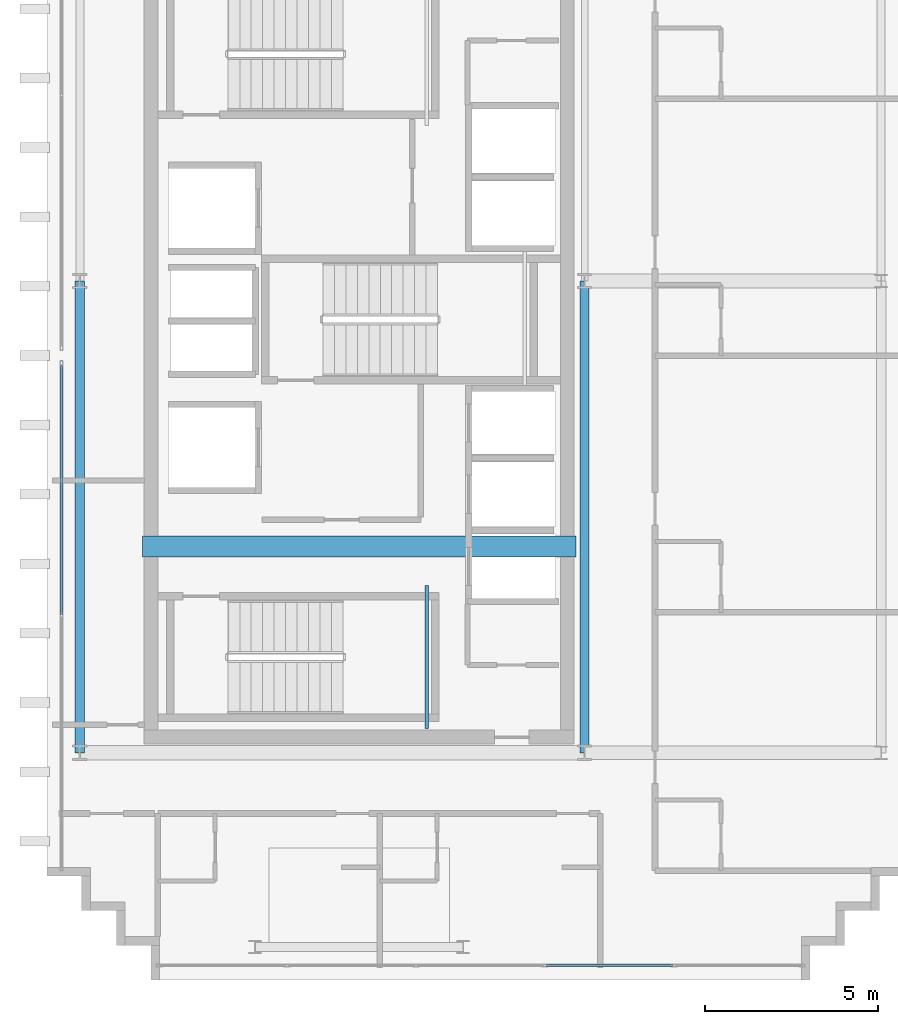
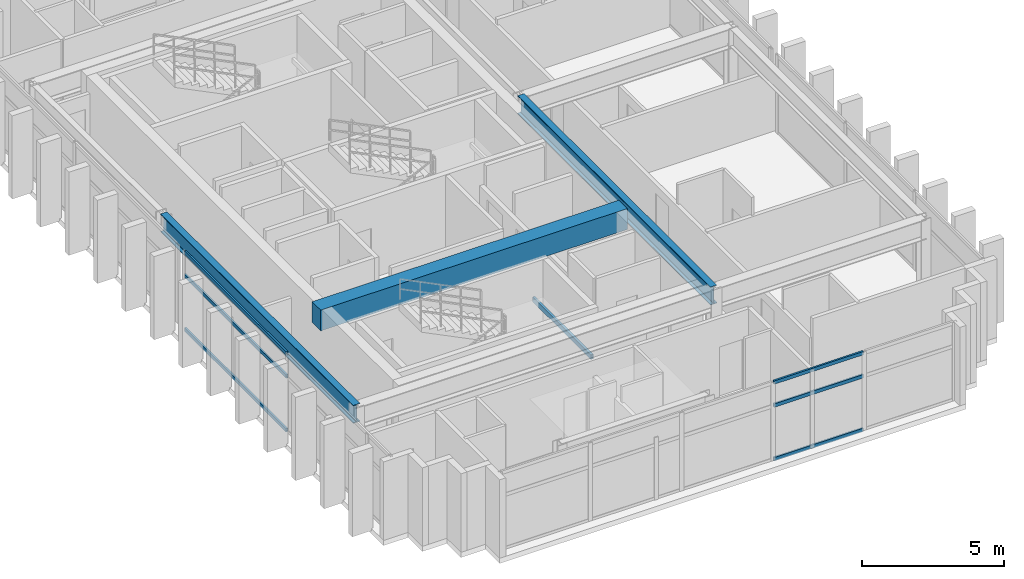
# One storey, part 3 of 15: 6 members, 4 beams, 2 elements without a shape of their own.
"""IFC4 building model written with IfcOpenShell, lengths in metres."""

from ifc_helpers import new_model, si_unit, direction, frame, origin, origin_2d, place, context, subcontext, project, spatial, rectangle, hollow_rectangle, i_section, extrude, source, transform, mapped, material, layer, layer_set, material_profile, profile_set, type_object, element, aggregate, save


model = new_model("IFC4")

# Units and contexts
model_context = context("Model", 3, precision=1e-05, world=origin(), true_north=direction((0.0, 1.0)))
body_context = subcontext(model_context, "Body", "Model", "MODEL_VIEW")
ifc_project = project(units=[si_unit("LENGTHUNIT", "METRE"), si_unit("AREAUNIT", "SQUARE_METRE"), si_unit("VOLUMEUNIT", "CUBIC_METRE"), si_unit("PLANEANGLEUNIT", "RADIAN"), si_unit("MASSUNIT", "GRAM", prefix="KILO")], contexts=[model_context])

# Site, building, storey
site_placement = place(None, origin())
site = spatial("IfcSite", under=ifc_project, at=site_placement, CompositionType="ELEMENT")
building_placement = place(site_placement, origin())
building = spatial("IfcBuilding", under=site, at=building_placement, Name="Ocotamira Hotel", CompositionType="ELEMENT")
storey_placement = place(building_placement, frame((0.0, 0.0, 290.39990234375)))
storey = spatial("IfcBuildingStorey", under=building, at=storey_placement, Name="L74", CompositionType="ELEMENT", Elevation=290.39990234375)

# Beams
ifc_material_1 = material(Name="Concrete C50/60", Category="concrete")
ifc_material_profile_1 = material_profile(ifc_material_1, rectangle(XDim=0.60009765625, YDim=0.89990234375, at=origin_2d()), Name="RC600X900")
ifc_profile_set_1 = profile_set([ifc_material_profile_1], Name="Concrete C50/60")
beam_type_1 = type_object("IfcBeamType", Name="BM-LINK-RC600", PredefinedType="LINTEL", material=ifc_profile_set_1)
shared_shape_1 = source(origin(), body_context, "Body", "SweptSolid", [
    extrude(rectangle(XDim=0.60009765625, YDim=0.89990234375, at=origin_2d()), origin(), (0.0, 0.0, 1.0), 12.5),
])
beam_1_placement = place(storey_placement, frame((10.75, 20.5, 2.93017578125), z_axis=(1.0, 0.0, 0.0), x_axis=(0.0, 1.0, 0.0)))
element("IfcBeam", 1, at=beam_1_placement, inside=storey, type_object=beam_type_1, Name="L74 West Core Coupling Beam", PredefinedType="LINTEL", context=body_context, shape_type="MappedRepresentation", body=[
    mapped(shared_shape_1, transform((0.0, 0.0, 0.0), scale=1.0)),
])
ifc_material_2 = material(Name="Steel ASTM A500 Grade C", Category="steel")
ifc_material_profile_2 = material_profile(ifc_material_2, hollow_rectangle(XDim=0.10009765625, YDim=0.199951171875, WallThickness=0.008056640625, at=origin_2d()), Name="HSS200X100X8")
ifc_profile_set_2 = profile_set([ifc_material_profile_2], Name="Steel ASTM A500 Grade C")
beam_type_2 = type_object("IfcBeamType", Name="BM-STLDG-HSS200", PredefinedType="BEAM", material=ifc_profile_set_2)
shared_shape_2 = source(origin(), body_context, "Body", "SweptSolid", [
    extrude(hollow_rectangle(XDim=0.10009765625, YDim=0.199951171875, WallThickness=0.008056640625, at=origin_2d()), origin(), (0.0, 0.0, 1.0), 4.1201171875),
])
beam_2_placement = place(storey_placement, frame((18.949951171875, 15.25, 1.5), z_axis=(0.0, 1.0, 0.0), x_axis=(-1.0, 0.0, 0.0)))
element("IfcBeam", 2, at=beam_2_placement, inside=storey, type_object=beam_type_2, Name="L74 Stair ST-1 Landing Bearer 1", PredefinedType="BEAM", context=body_context, shape_type="MappedRepresentation", body=[
    mapped(shared_shape_2, transform((0.0, 0.0, 0.0), scale=1.0)),
])
ifc_material_3 = material(Name="Steel ASTM A992 Grade 50", Category="steel")
ifc_material_profile_3 = material_profile(ifc_material_3, i_section(OverallWidth=0.26611328125, OverallDepth=0.779052734375, WebThickness=0.0166015625, FlangeThickness=0.030029296875, FilletRadius=0.01806640625, at=origin_2d()), Name="W30X148")
ifc_profile_set_3 = profile_set([ifc_material_profile_3], Name="Steel ASTM A992 Grade 50")
beam_type_3 = type_object("IfcBeamType", Name="BM-GIRD-W30X148", PredefinedType="BEAM", material=ifc_profile_set_3)
shared_shape_3 = source(origin(), body_context, "Body", "SweptSolid", [
    extrude(i_section(OverallWidth=0.26611328125, OverallDepth=0.779052734375, WebThickness=0.0166015625, FlangeThickness=0.030029296875, FilletRadius=0.01806640625, at=origin_2d()), origin(), (0.0, 0.0, 1.0), 13.599853515625),
])
for number, where, z_axis, x_axis, name in (
    (3, (8.949951171875, 14.550048828125, 2.990478515625), (0.0, 1.0, 0.0), (-1.0, 0.0, 0.0), "L74 Beam X8.95 Y14.55-28.15"),
    (4, (23.5, 14.550048828125, 2.990478515625), (0.0, 1.0, 0.0), (-1.0, 0.0, 0.0), "L74 Beam X23.5 Y14.55-28.15"),
):
    element("IfcBeam", number, at=place(storey_placement, frame(where, z_axis=z_axis, x_axis=x_axis)), inside=storey, type_object=beam_type_3, Name=name, PredefinedType="BEAM", context=body_context, shape_type="MappedRepresentation", body=[
        mapped(shared_shape_3, transform((0.0, 0.0, 0.0), scale=1.0)),
    ])

# Curtain wall, members
ifc_material_4 = material(Name="Anodised pale-metal aluminium and solar glass", Category="aluminium")
ifc_layer = layer(ifc_material_4, 0.2099609375)
ifc_layer_set = layer_set([ifc_layer], Name="Anodised pale-metal aluminium and solar glass")
curtain_wall_type = type_object("IfcCurtainWallType", Name="CW-SYS7-PEAK", PredefinedType="NOTDEFINED", material=ifc_layer_set)
curtain_wall_1_placement = place(storey_placement, origin())
curtain_wall_1 = element("IfcCurtainWall", 5, at=curtain_wall_1_placement, inside=storey, type_object=curtain_wall_type, Name="L74 Curtain Wall CW-7 CW-L74-W1", PredefinedType="NOTDEFINED")
ifc_material_5 = material(Name="Anodised pale-metal aluminium 6063-T6", Category="aluminium")
ifc_material_profile_4 = material_profile(ifc_material_5, hollow_rectangle(XDim=0.074951171875, YDim=0.14990234375, WallThickness=0.006103515625, at=origin_2d()), Name="HSS150X75X6")
ifc_profile_set_4 = profile_set([ifc_material_profile_4], Name="Anodised pale-metal aluminium 6063-T6")
member_type = type_object("IfcMemberType", Name="CWT-150X75", PredefinedType="USERDEFINED", material=ifc_profile_set_4)
shared_shape_4 = source(origin(), body_context, "Body", "SweptSolid", [
    extrude(hollow_rectangle(XDim=0.074951171875, YDim=0.14990234375, WallThickness=0.006103515625, at=origin_2d()), origin(), (0.0, 0.0, 1.0), 7.179931640625),
])
member_1_placement = place(storey_placement, frame((8.419921875, 18.5400390625, 0.03759765625), z_axis=(0.0, 1.0, 0.0), x_axis=(-1.0, 0.0, 0.0)))
member_1 = element("IfcMember", 6, at=member_1_placement, type_object=member_type, Name="CW-7 transom 2.1", ObjectType="TRANSOM", PredefinedType="USERDEFINED", context=body_context, shape_type="MappedRepresentation", body=[
    mapped(shared_shape_4, transform((0.0, 0.0, 0.0), scale=1.0)),
])
member_2_placement = place(storey_placement, frame((8.419921875, 18.5400390625, 2.35009765625), z_axis=(0.0, 1.0, 0.0), x_axis=(-1.0, 0.0, 0.0)))
member_2 = element("IfcMember", 7, at=member_2_placement, type_object=member_type, Name="CW-7 transom 2.2", ObjectType="TRANSOM", PredefinedType="USERDEFINED", context=body_context, shape_type="MappedRepresentation", body=[
    mapped(shared_shape_4, transform((0.0, 0.0, 0.0), scale=1.0)),
])
member_3_placement = place(storey_placement, frame((8.419921875, 18.5400390625, 3.342529296875), z_axis=(0.0, 1.0, 0.0), x_axis=(-1.0, 0.0, 0.0)))
member_3 = element("IfcMember", 8, at=member_3_placement, type_object=member_type, Name="CW-7 transom 2.3", ObjectType="TRANSOM", PredefinedType="USERDEFINED", context=body_context, shape_type="MappedRepresentation", body=[
    mapped(shared_shape_4, transform((0.0, 0.0, 0.0), scale=1.0)),
])
aggregate(curtain_wall_1, [member_1, member_2, member_3])

curtain_wall_2_placement = place(storey_placement, origin())
curtain_wall_2 = element("IfcCurtainWall", 9, at=curtain_wall_2_placement, inside=storey, type_object=curtain_wall_type, Name="L74 Curtain Wall CW-7 CW-L74-S1", PredefinedType="NOTDEFINED")
shared_shape_5 = source(origin(), body_context, "Body", "SweptSolid", [
    extrude(hollow_rectangle(XDim=0.074951171875, YDim=0.14990234375, WallThickness=0.006103515625, at=origin_2d()), origin(), (0.0, 0.0, 1.0), 3.64013671875),
])
member_4_placement = place(storey_placement, frame((22.39990234375, 8.419921875, 0.03759765625), z_axis=(1.0, 0.0, 0.0), x_axis=(0.0, 1.0, 0.0)))
member_4 = element("IfcMember", 10, at=member_4_placement, type_object=member_type, Name="CW-7 transom 4.1", ObjectType="TRANSOM", PredefinedType="USERDEFINED", context=body_context, shape_type="MappedRepresentation", body=[
    mapped(shared_shape_5, transform((0.0, 0.0, 0.0), scale=1.0)),
])
member_5_placement = place(storey_placement, frame((22.39990234375, 8.419921875, 2.35009765625), z_axis=(1.0, 0.0, 0.0), x_axis=(0.0, 1.0, 0.0)))
member_5 = element("IfcMember", 11, at=member_5_placement, type_object=member_type, Name="CW-7 transom 4.2", ObjectType="TRANSOM", PredefinedType="USERDEFINED", context=body_context, shape_type="MappedRepresentation", body=[
    mapped(shared_shape_5, transform((0.0, 0.0, 0.0), scale=1.0)),
])
member_6_placement = place(storey_placement, frame((22.39990234375, 8.419921875, 3.342529296875), z_axis=(1.0, 0.0, 0.0), x_axis=(0.0, 1.0, 0.0)))
member_6 = element("IfcMember", 12, at=member_6_placement, type_object=member_type, Name="CW-7 transom 4.3", ObjectType="TRANSOM", PredefinedType="USERDEFINED", context=body_context, shape_type="MappedRepresentation", body=[
    mapped(shared_shape_5, transform((0.0, 0.0, 0.0), scale=1.0)),
])
aggregate(curtain_wall_2, [member_4, member_5, member_6])

save(model, "model.ifc")
